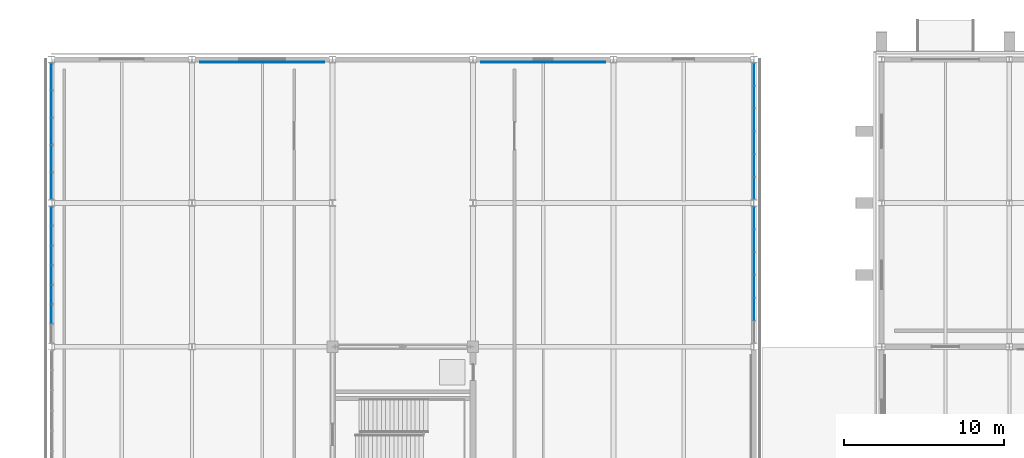
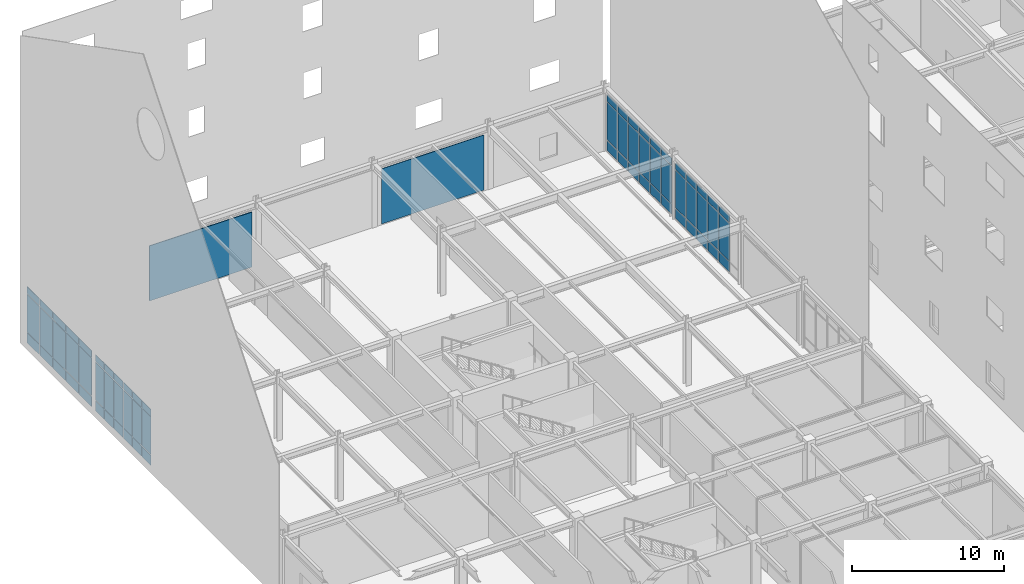
# One storey, part 64 of 119: 68 plates, 4 elements without a shape of their own.
"""IFC4 building model written with IfcOpenShell, lengths in metres."""

import ifcopenshell
import ifcopenshell.guid

model = None  # the IFC model being written
_history = None  # IfcOwnerHistory: only IFC2X3 demands one
_inside = {}  # id of a spatial element -> (the spatial element, [elements in it])
_under = {}  # id of a project, library or spatial element -> (it, [spatial elements below it])
_declared = {}  # id of a project -> (the project, [libraries it declares])
_typed = {}  # id of a type object -> (the type object, [elements of that type])
_made_of = {}  # id of a material, layer set ... -> (it, [elements and type objects made of it])


def new_model(schema):
    """Start an empty IFC model of exactly this schema.

    Asked for "IFC4X3", IfcOpenShell would pick the latest addendum, in which some entities
    have other attributes; the version numbers below select the first issue.
    IFC2X3 requires an IfcOwnerHistory on every rooted entity: one is made here for all.
    """
    global model, _history
    if schema == "IFC4X3":
        model = ifcopenshell.file(schema_version=(4, 3, 0, 0))
    else:
        model = ifcopenshell.file(schema=schema)
    _inside.clear()
    _under.clear()
    _declared.clear()
    _typed.clear()
    _made_of.clear()
    _history = None
    if model.schema == "IFC2X3":
        org = make("IfcOrganization", Name="unknown")
        user = make(
            "IfcPersonAndOrganization",
            ThePerson=make("IfcPerson", FamilyName="unknown"),
            TheOrganization=org,
        )
        app = make(
            "IfcApplication",
            ApplicationDeveloper=org,
            Version="unknown",
            ApplicationFullName="unknown",
            ApplicationIdentifier="unknown",
        )
        _history = make(
            "IfcOwnerHistory",
            OwningUser=user,
            OwningApplication=app,
            ChangeAction="ADDED",
            CreationDate=0,
        )
    return model


def make(cls, **values):
    """One entity of the class cls with the attributes given. An attribute that is None is left unset."""
    return model.create_entity(
        cls, **{name: value for name, value in values.items() if value is not None}
    )


def rooted(cls, **values):
    """An entity with a GlobalId (a new one), such as an element, a storey or a relation."""
    return make(cls, GlobalId=ifcopenshell.guid.new(), OwnerHistory=_history, **values)


def si_unit(unit_type, name, prefix=None):
    """IfcSIUnit, for example si_unit("LENGTHUNIT", "METRE", prefix="MILLI")."""
    return make("IfcSIUnit", UnitType=unit_type, Prefix=prefix, Name=name)


def assignment(units):
    """IfcUnitAssignment: the units of a project."""
    return None if units is None else make("IfcUnitAssignment", Units=units)


def point(xyz):
    """IfcCartesianPoint."""
    return None if xyz is None else make("IfcCartesianPoint", Coordinates=xyz)


def direction(xyz):
    """IfcDirection."""
    return None if xyz is None else make("IfcDirection", DirectionRatios=xyz)


def frame(location, z_axis=None, x_axis=None):
    """IfcAxis2Placement3D, a coordinate frame: its origin and axes. An axis left out is left unset."""
    return make(
        "IfcAxis2Placement3D",
        Location=point(location),
        Axis=direction(z_axis),
        RefDirection=direction(x_axis),
    )


def frame_2d(location, x_axis=None):
    """IfcAxis2Placement2D, a coordinate frame in the plane: its origin and x axis."""
    return make(
        "IfcAxis2Placement2D", Location=point(location), RefDirection=direction(x_axis)
    )


def origin():
    """The frame at (0, 0, 0) with its axes left unset."""
    return frame((0.0, 0.0, 0.0))


def origin_2d():
    """The frame at (0, 0) in the plane with its x axis left unset."""
    return frame_2d((0.0, 0.0))


def place(relative_to, where):
    """IfcLocalPlacement: puts the frame where relative to a parent placement (None: the world)."""
    return make(
        "IfcLocalPlacement", PlacementRelTo=relative_to, RelativePlacement=where
    )


def context(
    kind, dimensions, precision=None, world=None, true_north=None, identifier=None
):
    """IfcGeometricRepresentationContext, for example the 3D "Model" context."""
    return make(
        "IfcGeometricRepresentationContext",
        ContextIdentifier=identifier,
        ContextType=kind,
        CoordinateSpaceDimension=dimensions,
        Precision=precision,
        WorldCoordinateSystem=world,
        TrueNorth=true_north,
    )


def subcontext(parent, identifier, kind, view, scale=None):
    """IfcGeometricRepresentationSubContext, for example "Body" below "Model"."""
    return make(
        "IfcGeometricRepresentationSubContext",
        ContextIdentifier=identifier,
        ContextType=kind,
        ParentContext=parent,
        TargetScale=scale,
        TargetView=view,
    )


def project(units=None, contexts=None):
    """IfcProject with its units and contexts."""
    return rooted(
        "IfcProject",
        Name="project",
        RepresentationContexts=contexts,
        UnitsInContext=assignment(units),
    )


def spatial(cls, under=None, at=None, **own):
    """A site, building, storey or space (cls), placed at a placement, below another one or the project."""
    s = rooted(cls, ObjectPlacement=at, **own)
    if under is not None:
        _under.setdefault(under.id(), (under, []))[1].append(s)
    return s


def profile(cls, at=None, kind="AREA", **sizes):
    """A parametric profile (cls). Its sizes go by their IFC names, for example OverallWidth=200.0."""
    return make(cls, ProfileType=kind, Position=at, **sizes)


def rectangle(**sizes):
    """IfcRectangleProfileDef."""
    return profile("IfcRectangleProfileDef", **sizes)


def extrude(swept, where, along, depth):
    """IfcExtrudedAreaSolid: the profile swept, set in the frame where, extruded along a direction by depth."""
    return make(
        "IfcExtrudedAreaSolid",
        SweptArea=swept,
        Position=where,
        ExtrudedDirection=direction(along),
        Depth=depth,
    )


def shape(context_of_items, identifier, shape_type, items):
    """IfcShapeRepresentation: the items that make up one representation, for example the "Body"."""
    return make(
        "IfcShapeRepresentation",
        ContextOfItems=context_of_items,
        RepresentationIdentifier=identifier,
        RepresentationType=shape_type,
        Items=items,
    )


def material(Name=None, Category=None):
    """IfcMaterial."""
    return make("IfcMaterial", Name=Name, Category=Category)


def layer(
    of_material, thickness, ventilated=None, Name=None, Category=None, Priority=None
):
    """IfcMaterialLayer: one layer of a wall or slab, of a material (None: an air gap)."""
    return make(
        "IfcMaterialLayer",
        Material=of_material,
        LayerThickness=thickness,
        IsVentilated=ventilated,
        Name=Name,
        Category=Category,
        Priority=Priority,
    )


def layer_set(layers, Name=None):
    """IfcMaterialLayerSet."""
    return make("IfcMaterialLayerSet", MaterialLayers=layers, LayerSetName=Name)


def made_of(thing, what):
    """Note that an element or type object is made of a material, layer set ...; save() writes the relation."""
    if what is not None:
        _made_of.setdefault(what.id(), (what, []))[1].append(thing)
    return thing


def type_object(cls, material=None, **own):
    """A type object (cls), such as IfcWallType, which elements share."""
    return made_of(rooted(cls, **own), material)


def element(
    cls,
    number,
    at=None,
    inside=None,
    cuts=None,
    type_object=None,
    material=None,
    context=None,
    identifier="Body",
    shape_type=None,
    held_by="IfcProductDefinitionShape",
    body=None,
    shapes=None,
    **own,
):
    """One element of the class cls, such as IfcWall. Its Tag is "e" and its number.

    at: its placement. inside: the storey or other place that contains it. cuts: it is an
    opening in that element (IfcRelVoidsElement). A single representation is given by context,
    identifier, shape_type and body (its items); several are given by shapes. held_by: the class
    of the entity that holds the representations. save() writes the other relations.
    """
    e = rooted(cls, Tag="e%d" % number, ObjectPlacement=at, **own)
    if body is not None:
        shapes = [shape(context, identifier, shape_type, body)]
    if shapes is not None:
        e.Representation = make(held_by, Representations=shapes)
    if inside is not None:
        _inside.setdefault(inside.id(), (inside, []))[1].append(e)
    if cuts is not None:
        rooted(
            "IfcRelVoidsElement", RelatingBuildingElement=cuts, RelatedOpeningElement=e
        )
    if type_object is not None:
        _typed.setdefault(type_object.id(), (type_object, []))[1].append(e)
    return made_of(e, material)


def aggregate(whole, parts):
    """IfcRelAggregates: a whole, such as a stair, and the parts it consists of."""
    return rooted("IfcRelAggregates", RelatingObject=whole, RelatedObjects=parts)


def save(model, path):
    """Write the relations noted so far, then the file.

    IfcRelAggregates (storeys below a building ...), IfcRelContainedInSpatialStructure (elements
    in a storey), IfcRelDefinesByType, IfcRelAssociatesMaterial and IfcRelDeclares: one each for
    every whole, place, type object, material and project.
    """
    for whole, parts in _under.values():
        aggregate(whole, parts)
    for where, things in _inside.values():
        rooted(
            "IfcRelContainedInSpatialStructure",
            RelatedElements=things,
            RelatingStructure=where,
        )
    for kind, things in _typed.values():
        rooted("IfcRelDefinesByType", RelatedObjects=things, RelatingType=kind)
    for what, things in _made_of.values():
        rooted("IfcRelAssociatesMaterial", RelatedObjects=things, RelatingMaterial=what)
    for by, libraries in _declared.values():
        rooted("IfcRelDeclares", RelatingContext=by, RelatedDefinitions=libraries)
    model.write(path)


model = new_model("IFC4")

# Units and contexts
model_context = context("Model", 3, precision=1e-05, world=origin(), true_north=direction((0.0, 1.0)))
body_context = subcontext(model_context, "Body", "Model", "MODEL_VIEW")
ifc_project = project(units=[si_unit("LENGTHUNIT", "METRE"), si_unit("AREAUNIT", "SQUARE_METRE"), si_unit("VOLUMEUNIT", "CUBIC_METRE"), si_unit("PLANEANGLEUNIT", "RADIAN"), si_unit("MASSUNIT", "GRAM", prefix="KILO")], contexts=[model_context])

# Site, building, storey
site_placement = place(None, origin())
site = spatial("IfcSite", under=ifc_project, at=site_placement, CompositionType="ELEMENT")
building_placement = place(site_placement, origin())
building = spatial("IfcBuilding", under=site, at=building_placement, Name="Zhaolan Boulevard Law Courts", CompositionType="ELEMENT")
storey_placement = place(building_placement, origin())
storey = spatial("IfcBuildingStorey", under=building, at=storey_placement, Name="L00", CompositionType="ELEMENT", Elevation=0.0)

# Curtain wall, plates
ifc_material_1 = material(Name="Thermally broken aluminium and low-E glazing", Category="aluminium")
curtain_wall_type_1 = type_object("IfcCurtainWallType", Name="CURTAIN WALL M6", PredefinedType="USERDEFINED", material=ifc_material_1)
curtain_wall_1_placement = place(storey_placement, origin())
curtain_wall_1 = element("IfcCurtainWall", 1, at=curtain_wall_1_placement, inside=storey, type_object=curtain_wall_type_1, Name="Curtain Wall CW-L00-102", ObjectType="CURTAIN WALL", PredefinedType="USERDEFINED")
ifc_material_2 = material(Name="Acoustic laminated low-E glazing", Category="glass")
ifc_layer_1 = layer(ifc_material_2, 0.031982421875)
ifc_layer_set_1 = layer_set([ifc_layer_1])
plate_type_1 = type_object("IfcPlateType", Name="CWPANEL LOW E32", PredefinedType="CURTAIN_PANEL", material=ifc_layer_set_1)
plate_1_placement = place(storey_placement, frame((0.0, 102.167724609375, 0.06494140625), z_axis=(0.0, 0.0, 1.0), x_axis=(0.0, -1.0, 0.0)))
plate_1 = element("IfcPlate", 2, at=plate_1_placement, type_object=plate_type_1, Name="CW-L00-102 panel 1.1", PredefinedType="CURTAIN_PANEL", context=body_context, shape_type="SweptSolid", body=[
    extrude(rectangle(XDim=1.130615234375, YDim=0.031982421875, at=origin_2d()), origin(), (0.0, 0.0, 1.0), 0.802490234375),
])
plate_2_placement = place(storey_placement, frame((0.0, 102.167724609375, 0.9326171875), z_axis=(0.0, 0.0, 1.0), x_axis=(0.0, -1.0, 0.0)))
plate_2 = element("IfcPlate", 3, at=plate_2_placement, type_object=plate_type_1, Name="CW-L00-102 panel 1.2", PredefinedType="CURTAIN_PANEL", context=body_context, shape_type="SweptSolid", body=[
    extrude(rectangle(XDim=1.130615234375, YDim=0.031982421875, at=origin_2d()), origin(), (0.0, 0.0, 1.0), 3.006103515625),
])
plate_3_placement = place(storey_placement, frame((0.0, 102.167724609375, 4.00341796875), z_axis=(0.0, 0.0, 1.0), x_axis=(0.0, -1.0, 0.0)))
plate_3 = element("IfcPlate", 4, at=plate_3_placement, type_object=plate_type_1, Name="CW-L00-102 panel 1.3", PredefinedType="CURTAIN_PANEL", context=body_context, shape_type="SweptSolid", body=[
    extrude(rectangle(XDim=1.130615234375, YDim=0.031982421875, at=origin_2d()), origin(), (0.0, 0.0, 1.0), 0.552490234375),
])
plate_4_placement = place(storey_placement, frame((0.0, 100.9560546875, 0.06494140625), z_axis=(0.0, 0.0, 1.0), x_axis=(0.0, -1.0, 0.0)))
plate_4 = element("IfcPlate", 5, at=plate_4_placement, type_object=plate_type_1, Name="CW-L00-102 panel 2.1", PredefinedType="CURTAIN_PANEL", context=body_context, shape_type="SweptSolid", body=[
    extrude(rectangle(XDim=1.1630859375, YDim=0.031982421875, at=origin_2d()), origin(), (0.0, 0.0, 1.0), 0.802490234375),
])
plate_5_placement = place(storey_placement, frame((0.0, 100.9560546875, 0.9326171875), z_axis=(0.0, 0.0, 1.0), x_axis=(0.0, -1.0, 0.0)))
plate_5 = element("IfcPlate", 6, at=plate_5_placement, type_object=plate_type_1, Name="CW-L00-102 panel 2.2", PredefinedType="CURTAIN_PANEL", context=body_context, shape_type="SweptSolid", body=[
    extrude(rectangle(XDim=1.1630859375, YDim=0.031982421875, at=origin_2d()), origin(), (0.0, 0.0, 1.0), 3.006103515625),
])
plate_6_placement = place(storey_placement, frame((0.0, 100.9560546875, 4.00341796875), z_axis=(0.0, 0.0, 1.0), x_axis=(0.0, -1.0, 0.0)))
plate_6 = element("IfcPlate", 7, at=plate_6_placement, type_object=plate_type_1, Name="CW-L00-102 panel 2.3", PredefinedType="CURTAIN_PANEL", context=body_context, shape_type="SweptSolid", body=[
    extrude(rectangle(XDim=1.1630859375, YDim=0.031982421875, at=origin_2d()), origin(), (0.0, 0.0, 1.0), 0.552490234375),
])
plate_7_placement = place(storey_placement, frame((0.0, 99.72802734375, 0.06494140625), z_axis=(0.0, 0.0, 1.0), x_axis=(0.0, -1.0, 0.0)))
plate_7 = element("IfcPlate", 8, at=plate_7_placement, type_object=plate_type_1, Name="CW-L00-102 panel 3.1", PredefinedType="CURTAIN_PANEL", context=body_context, shape_type="SweptSolid", body=[
    extrude(rectangle(XDim=1.1630859375, YDim=0.031982421875, at=origin_2d()), origin(), (0.0, 0.0, 1.0), 0.802490234375),
])
plate_8_placement = place(storey_placement, frame((0.0, 99.72802734375, 0.9326171875), z_axis=(0.0, 0.0, 1.0), x_axis=(0.0, -1.0, 0.0)))
plate_8 = element("IfcPlate", 9, at=plate_8_placement, type_object=plate_type_1, Name="CW-L00-102 panel 3.2", PredefinedType="CURTAIN_PANEL", context=body_context, shape_type="SweptSolid", body=[
    extrude(rectangle(XDim=1.1630859375, YDim=0.031982421875, at=origin_2d()), origin(), (0.0, 0.0, 1.0), 3.006103515625),
])
plate_9_placement = place(storey_placement, frame((0.0, 99.72802734375, 4.00341796875), z_axis=(0.0, 0.0, 1.0), x_axis=(0.0, -1.0, 0.0)))
plate_9 = element("IfcPlate", 10, at=plate_9_placement, type_object=plate_type_1, Name="CW-L00-102 panel 3.3", PredefinedType="CURTAIN_PANEL", context=body_context, shape_type="SweptSolid", body=[
    extrude(rectangle(XDim=1.1630859375, YDim=0.031982421875, at=origin_2d()), origin(), (0.0, 0.0, 1.0), 0.552490234375),
])
plate_10_placement = place(storey_placement, frame((0.0, 98.5, 0.06494140625), z_axis=(0.0, 0.0, 1.0), x_axis=(0.0, -1.0, 0.0)))
plate_10 = element("IfcPlate", 11, at=plate_10_placement, type_object=plate_type_1, Name="CW-L00-102 panel 4.1", PredefinedType="CURTAIN_PANEL", context=body_context, shape_type="SweptSolid", body=[
    extrude(rectangle(XDim=1.1630859375, YDim=0.031982421875, at=origin_2d()), origin(), (0.0, 0.0, 1.0), 0.802490234375),
])
plate_11_placement = place(storey_placement, frame((0.0, 98.5, 0.9326171875), z_axis=(0.0, 0.0, 1.0), x_axis=(0.0, -1.0, 0.0)))
plate_11 = element("IfcPlate", 12, at=plate_11_placement, type_object=plate_type_1, Name="CW-L00-102 panel 4.2", PredefinedType="CURTAIN_PANEL", context=body_context, shape_type="SweptSolid", body=[
    extrude(rectangle(XDim=1.1630859375, YDim=0.031982421875, at=origin_2d()), origin(), (0.0, 0.0, 1.0), 3.006103515625),
])
plate_12_placement = place(storey_placement, frame((0.0, 98.5, 4.00341796875), z_axis=(0.0, 0.0, 1.0), x_axis=(0.0, -1.0, 0.0)))
plate_12 = element("IfcPlate", 13, at=plate_12_placement, type_object=plate_type_1, Name="CW-L00-102 panel 4.3", PredefinedType="CURTAIN_PANEL", context=body_context, shape_type="SweptSolid", body=[
    extrude(rectangle(XDim=1.1630859375, YDim=0.031982421875, at=origin_2d()), origin(), (0.0, 0.0, 1.0), 0.552490234375),
])
plate_13_placement = place(storey_placement, frame((0.0, 97.27197265625, 0.06494140625), z_axis=(0.0, 0.0, 1.0), x_axis=(0.0, -1.0, 0.0)))
plate_13 = element("IfcPlate", 14, at=plate_13_placement, type_object=plate_type_1, Name="CW-L00-102 panel 5.1", PredefinedType="CURTAIN_PANEL", context=body_context, shape_type="SweptSolid", body=[
    extrude(rectangle(XDim=1.1630859375, YDim=0.031982421875, at=origin_2d()), origin(), (0.0, 0.0, 1.0), 0.802490234375),
])
plate_14_placement = place(storey_placement, frame((0.0, 97.27197265625, 0.9326171875), z_axis=(0.0, 0.0, 1.0), x_axis=(0.0, -1.0, 0.0)))
plate_14 = element("IfcPlate", 15, at=plate_14_placement, type_object=plate_type_1, Name="CW-L00-102 panel 5.2", PredefinedType="CURTAIN_PANEL", context=body_context, shape_type="SweptSolid", body=[
    extrude(rectangle(XDim=1.1630859375, YDim=0.031982421875, at=origin_2d()), origin(), (0.0, 0.0, 1.0), 3.006103515625),
])
plate_15_placement = place(storey_placement, frame((0.0, 97.27197265625, 4.00341796875), z_axis=(0.0, 0.0, 1.0), x_axis=(0.0, -1.0, 0.0)))
plate_15 = element("IfcPlate", 16, at=plate_15_placement, type_object=plate_type_1, Name="CW-L00-102 panel 5.3", PredefinedType="CURTAIN_PANEL", context=body_context, shape_type="SweptSolid", body=[
    extrude(rectangle(XDim=1.1630859375, YDim=0.031982421875, at=origin_2d()), origin(), (0.0, 0.0, 1.0), 0.552490234375),
])
plate_16_placement = place(storey_placement, frame((0.0, 96.0439453125, 0.06494140625), z_axis=(0.0, 0.0, 1.0), x_axis=(0.0, -1.0, 0.0)))
plate_16 = element("IfcPlate", 17, at=plate_16_placement, type_object=plate_type_1, Name="CW-L00-102 panel 6.1", PredefinedType="CURTAIN_PANEL", context=body_context, shape_type="SweptSolid", body=[
    extrude(rectangle(XDim=1.1630859375, YDim=0.031982421875, at=origin_2d()), origin(), (0.0, 0.0, 1.0), 0.802490234375),
])
plate_17_placement = place(storey_placement, frame((0.0, 96.0439453125, 0.9326171875), z_axis=(0.0, 0.0, 1.0), x_axis=(0.0, -1.0, 0.0)))
plate_17 = element("IfcPlate", 18, at=plate_17_placement, type_object=plate_type_1, Name="CW-L00-102 panel 6.2", PredefinedType="CURTAIN_PANEL", context=body_context, shape_type="SweptSolid", body=[
    extrude(rectangle(XDim=1.1630859375, YDim=0.031982421875, at=origin_2d()), origin(), (0.0, 0.0, 1.0), 3.006103515625),
])
plate_18_placement = place(storey_placement, frame((0.0, 96.0439453125, 4.00341796875), z_axis=(0.0, 0.0, 1.0), x_axis=(0.0, -1.0, 0.0)))
plate_18 = element("IfcPlate", 19, at=plate_18_placement, type_object=plate_type_1, Name="CW-L00-102 panel 6.3", PredefinedType="CURTAIN_PANEL", context=body_context, shape_type="SweptSolid", body=[
    extrude(rectangle(XDim=1.1630859375, YDim=0.031982421875, at=origin_2d()), origin(), (0.0, 0.0, 1.0), 0.552490234375),
])
aggregate(curtain_wall_1, [plate_1, plate_2, plate_3, plate_4, plate_5, plate_6, plate_7, plate_8, plate_9, plate_10, plate_11, plate_12, plate_13, plate_14, plate_15, plate_16, plate_17, plate_18])

ifc_material_3 = material(Name="Thermally broken aluminium and low-E glazing", Category="aluminium")
curtain_wall_type_2 = type_object("IfcCurtainWallType", Name="CURTAIN WALL M7", PredefinedType="USERDEFINED", material=ifc_material_3)
curtain_wall_2_placement = place(storey_placement, origin())
curtain_wall_2 = element("IfcCurtainWall", 20, at=curtain_wall_2_placement, inside=storey, type_object=curtain_wall_type_2, Name="Curtain Wall CW-L00-103", ObjectType="CURTAIN WALL", PredefinedType="USERDEFINED")
plate_19_placement = place(storey_placement, frame((0.0, 110.922119140625, 0.06494140625), z_axis=(0.0, 0.0, 1.0), x_axis=(0.0, -1.0, 0.0)))
plate_19 = element("IfcPlate", 21, at=plate_19_placement, type_object=plate_type_1, Name="CW-L00-103 panel 1.1", PredefinedType="CURTAIN_PANEL", context=body_context, shape_type="SweptSolid", body=[
    extrude(rectangle(XDim=1.62158203125, YDim=0.031982421875, at=origin_2d()), origin(), (0.0, 0.0, 1.0), 0.802490234375),
])
plate_20_placement = place(storey_placement, frame((0.0, 110.922119140625, 0.9326171875), z_axis=(0.0, 0.0, 1.0), x_axis=(0.0, -1.0, 0.0)))
plate_20 = element("IfcPlate", 22, at=plate_20_placement, type_object=plate_type_1, Name="CW-L00-103 panel 1.2", PredefinedType="CURTAIN_PANEL", context=body_context, shape_type="SweptSolid", body=[
    extrude(rectangle(XDim=1.62158203125, YDim=0.031982421875, at=origin_2d()), origin(), (0.0, 0.0, 1.0), 3.006103515625),
])
plate_21_placement = place(storey_placement, frame((0.0, 110.922119140625, 4.00341796875), z_axis=(0.0, 0.0, 1.0), x_axis=(0.0, -1.0, 0.0)))
plate_21 = element("IfcPlate", 23, at=plate_21_placement, type_object=plate_type_1, Name="CW-L00-103 panel 1.3", PredefinedType="CURTAIN_PANEL", context=body_context, shape_type="SweptSolid", body=[
    extrude(rectangle(XDim=1.62158203125, YDim=0.031982421875, at=origin_2d()), origin(), (0.0, 0.0, 1.0), 0.552490234375),
])
plate_22_placement = place(storey_placement, frame((0.0, 109.21923828125, 0.06494140625), z_axis=(0.0, 0.0, 1.0), x_axis=(0.0, -1.0, 0.0)))
plate_22 = element("IfcPlate", 24, at=plate_22_placement, type_object=plate_type_1, Name="CW-L00-103 panel 2.1", PredefinedType="CURTAIN_PANEL", context=body_context, shape_type="SweptSolid", body=[
    extrude(rectangle(XDim=1.654296875, YDim=0.031982421875, at=origin_2d()), origin(), (0.0, 0.0, 1.0), 0.802490234375),
])
plate_23_placement = place(storey_placement, frame((0.0, 109.21923828125, 0.9326171875), z_axis=(0.0, 0.0, 1.0), x_axis=(0.0, -1.0, 0.0)))
plate_23 = element("IfcPlate", 25, at=plate_23_placement, type_object=plate_type_1, Name="CW-L00-103 panel 2.2", PredefinedType="CURTAIN_PANEL", context=body_context, shape_type="SweptSolid", body=[
    extrude(rectangle(XDim=1.654296875, YDim=0.031982421875, at=origin_2d()), origin(), (0.0, 0.0, 1.0), 3.006103515625),
])
plate_24_placement = place(storey_placement, frame((0.0, 109.21923828125, 4.00341796875), z_axis=(0.0, 0.0, 1.0), x_axis=(0.0, -1.0, 0.0)))
plate_24 = element("IfcPlate", 26, at=plate_24_placement, type_object=plate_type_1, Name="CW-L00-103 panel 2.3", PredefinedType="CURTAIN_PANEL", context=body_context, shape_type="SweptSolid", body=[
    extrude(rectangle(XDim=1.654296875, YDim=0.031982421875, at=origin_2d()), origin(), (0.0, 0.0, 1.0), 0.552490234375),
])
plate_25_placement = place(storey_placement, frame((0.0, 107.5, 0.06494140625), z_axis=(0.0, 0.0, 1.0), x_axis=(0.0, -1.0, 0.0)))
plate_25 = element("IfcPlate", 27, at=plate_25_placement, type_object=plate_type_1, Name="CW-L00-103 panel 3.1", PredefinedType="CURTAIN_PANEL", context=body_context, shape_type="SweptSolid", body=[
    extrude(rectangle(XDim=1.654296875, YDim=0.031982421875, at=origin_2d()), origin(), (0.0, 0.0, 1.0), 0.802490234375),
])
plate_26_placement = place(storey_placement, frame((0.0, 107.5, 0.9326171875), z_axis=(0.0, 0.0, 1.0), x_axis=(0.0, -1.0, 0.0)))
plate_26 = element("IfcPlate", 28, at=plate_26_placement, type_object=plate_type_1, Name="CW-L00-103 panel 3.2", PredefinedType="CURTAIN_PANEL", context=body_context, shape_type="SweptSolid", body=[
    extrude(rectangle(XDim=1.654296875, YDim=0.031982421875, at=origin_2d()), origin(), (0.0, 0.0, 1.0), 3.006103515625),
])
plate_27_placement = place(storey_placement, frame((0.0, 107.5, 4.00341796875), z_axis=(0.0, 0.0, 1.0), x_axis=(0.0, -1.0, 0.0)))
plate_27 = element("IfcPlate", 29, at=plate_27_placement, type_object=plate_type_1, Name="CW-L00-103 panel 3.3", PredefinedType="CURTAIN_PANEL", context=body_context, shape_type="SweptSolid", body=[
    extrude(rectangle(XDim=1.654296875, YDim=0.031982421875, at=origin_2d()), origin(), (0.0, 0.0, 1.0), 0.552490234375),
])
plate_28_placement = place(storey_placement, frame((0.0, 105.78076171875, 0.06494140625), z_axis=(0.0, 0.0, 1.0), x_axis=(0.0, -1.0, 0.0)))
plate_28 = element("IfcPlate", 30, at=plate_28_placement, type_object=plate_type_1, Name="CW-L00-103 panel 4.1", PredefinedType="CURTAIN_PANEL", context=body_context, shape_type="SweptSolid", body=[
    extrude(rectangle(XDim=1.654296875, YDim=0.031982421875, at=origin_2d()), origin(), (0.0, 0.0, 1.0), 0.802490234375),
])
plate_29_placement = place(storey_placement, frame((0.0, 105.78076171875, 0.9326171875), z_axis=(0.0, 0.0, 1.0), x_axis=(0.0, -1.0, 0.0)))
plate_29 = element("IfcPlate", 31, at=plate_29_placement, type_object=plate_type_1, Name="CW-L00-103 panel 4.2", PredefinedType="CURTAIN_PANEL", context=body_context, shape_type="SweptSolid", body=[
    extrude(rectangle(XDim=1.654296875, YDim=0.031982421875, at=origin_2d()), origin(), (0.0, 0.0, 1.0), 3.006103515625),
])
plate_30_placement = place(storey_placement, frame((0.0, 105.78076171875, 4.00341796875), z_axis=(0.0, 0.0, 1.0), x_axis=(0.0, -1.0, 0.0)))
plate_30 = element("IfcPlate", 32, at=plate_30_placement, type_object=plate_type_1, Name="CW-L00-103 panel 4.3", PredefinedType="CURTAIN_PANEL", context=body_context, shape_type="SweptSolid", body=[
    extrude(rectangle(XDim=1.654296875, YDim=0.031982421875, at=origin_2d()), origin(), (0.0, 0.0, 1.0), 0.552490234375),
])
plate_31_placement = place(storey_placement, frame((0.0, 104.077880859375, 0.06494140625), z_axis=(0.0, 0.0, 1.0), x_axis=(0.0, -1.0, 0.0)))
plate_31 = element("IfcPlate", 33, at=plate_31_placement, type_object=plate_type_1, Name="CW-L00-103 panel 5.1", PredefinedType="CURTAIN_PANEL", context=body_context, shape_type="SweptSolid", body=[
    extrude(rectangle(XDim=1.62158203125, YDim=0.031982421875, at=origin_2d()), origin(), (0.0, 0.0, 1.0), 0.802490234375),
])
plate_32_placement = place(storey_placement, frame((0.0, 104.077880859375, 0.9326171875), z_axis=(0.0, 0.0, 1.0), x_axis=(0.0, -1.0, 0.0)))
plate_32 = element("IfcPlate", 34, at=plate_32_placement, type_object=plate_type_1, Name="CW-L00-103 panel 5.2", PredefinedType="CURTAIN_PANEL", context=body_context, shape_type="SweptSolid", body=[
    extrude(rectangle(XDim=1.62158203125, YDim=0.031982421875, at=origin_2d()), origin(), (0.0, 0.0, 1.0), 3.006103515625),
])
plate_33_placement = place(storey_placement, frame((0.0, 104.077880859375, 4.00341796875), z_axis=(0.0, 0.0, 1.0), x_axis=(0.0, -1.0, 0.0)))
plate_33 = element("IfcPlate", 35, at=plate_33_placement, type_object=plate_type_1, Name="CW-L00-103 panel 5.3", PredefinedType="CURTAIN_PANEL", context=body_context, shape_type="SweptSolid", body=[
    extrude(rectangle(XDim=1.62158203125, YDim=0.031982421875, at=origin_2d()), origin(), (0.0, 0.0, 1.0), 0.552490234375),
])
aggregate(curtain_wall_2, [plate_19, plate_20, plate_21, plate_22, plate_23, plate_24, plate_25, plate_26, plate_27, plate_28, plate_29, plate_30, plate_31, plate_32, plate_33])

ifc_material_4 = material(Name="Thermally broken aluminium and low-E glazing", Category="aluminium")
curtain_wall_type_3 = type_object("IfcCurtainWallType", Name="CURTAIN WALL M9", PredefinedType="USERDEFINED", material=ifc_material_4)
curtain_wall_3_placement = place(storey_placement, origin())
curtain_wall_3 = element("IfcCurtainWall", 36, at=curtain_wall_3_placement, inside=storey, type_object=curtain_wall_type_3, Name="Curtain Wall CW-L00-105", ObjectType="CURTAIN WALL", PredefinedType="USERDEFINED")
plate_34_placement = place(storey_placement, frame((44.0, 96.35107421875, 0.06494140625), z_axis=(0.0, 0.0, 1.0), x_axis=(0.0, 1.0, 0.0)))
plate_34 = element("IfcPlate", 37, at=plate_34_placement, type_object=plate_type_1, Name="CW-L00-105 panel 2.1", PredefinedType="CURTAIN_PANEL", context=body_context, shape_type="SweptSolid", body=[
    extrude(rectangle(XDim=1.36767578125, YDim=0.031982421875, at=origin_2d()), origin(), (0.0, 0.0, 1.0), 0.802490234375),
])
plate_35_placement = place(storey_placement, frame((44.0, 96.35107421875, 0.9326171875), z_axis=(0.0, 0.0, 1.0), x_axis=(0.0, 1.0, 0.0)))
plate_35 = element("IfcPlate", 38, at=plate_35_placement, type_object=plate_type_1, Name="CW-L00-105 panel 2.2", PredefinedType="CURTAIN_PANEL", context=body_context, shape_type="SweptSolid", body=[
    extrude(rectangle(XDim=1.36767578125, YDim=0.031982421875, at=origin_2d()), origin(), (0.0, 0.0, 1.0), 3.006103515625),
])
plate_36_placement = place(storey_placement, frame((44.0, 96.35107421875, 4.00341796875), z_axis=(0.0, 0.0, 1.0), x_axis=(0.0, 1.0, 0.0)))
plate_36 = element("IfcPlate", 39, at=plate_36_placement, type_object=plate_type_1, Name="CW-L00-105 panel 2.3", PredefinedType="CURTAIN_PANEL", context=body_context, shape_type="SweptSolid", body=[
    extrude(rectangle(XDim=1.36767578125, YDim=0.031982421875, at=origin_2d()), origin(), (0.0, 0.0, 1.0), 0.552490234375),
])
plate_37_placement = place(storey_placement, frame((44.0, 97.78369140625, 0.06494140625), z_axis=(0.0, 0.0, 1.0), x_axis=(0.0, 1.0, 0.0)))
plate_37 = element("IfcPlate", 40, at=plate_37_placement, type_object=plate_type_1, Name="CW-L00-105 panel 3.1", PredefinedType="CURTAIN_PANEL", context=body_context, shape_type="SweptSolid", body=[
    extrude(rectangle(XDim=1.36767578125, YDim=0.031982421875, at=origin_2d()), origin(), (0.0, 0.0, 1.0), 0.802490234375),
])
plate_38_placement = place(storey_placement, frame((44.0, 97.78369140625, 0.9326171875), z_axis=(0.0, 0.0, 1.0), x_axis=(0.0, 1.0, 0.0)))
plate_38 = element("IfcPlate", 41, at=plate_38_placement, type_object=plate_type_1, Name="CW-L00-105 panel 3.2", PredefinedType="CURTAIN_PANEL", context=body_context, shape_type="SweptSolid", body=[
    extrude(rectangle(XDim=1.36767578125, YDim=0.031982421875, at=origin_2d()), origin(), (0.0, 0.0, 1.0), 3.006103515625),
])
plate_39_placement = place(storey_placement, frame((44.0, 97.78369140625, 4.00341796875), z_axis=(0.0, 0.0, 1.0), x_axis=(0.0, 1.0, 0.0)))
plate_39 = element("IfcPlate", 42, at=plate_39_placement, type_object=plate_type_1, Name="CW-L00-105 panel 3.3", PredefinedType="CURTAIN_PANEL", context=body_context, shape_type="SweptSolid", body=[
    extrude(rectangle(XDim=1.36767578125, YDim=0.031982421875, at=origin_2d()), origin(), (0.0, 0.0, 1.0), 0.552490234375),
])
plate_40_placement = place(storey_placement, frame((44.0, 99.21630859375, 0.06494140625), z_axis=(0.0, 0.0, 1.0), x_axis=(0.0, 1.0, 0.0)))
plate_40 = element("IfcPlate", 43, at=plate_40_placement, type_object=plate_type_1, Name="CW-L00-105 panel 4.1", PredefinedType="CURTAIN_PANEL", context=body_context, shape_type="SweptSolid", body=[
    extrude(rectangle(XDim=1.36767578125, YDim=0.031982421875, at=origin_2d()), origin(), (0.0, 0.0, 1.0), 0.802490234375),
])
plate_41_placement = place(storey_placement, frame((44.0, 99.21630859375, 0.9326171875), z_axis=(0.0, 0.0, 1.0), x_axis=(0.0, 1.0, 0.0)))
plate_41 = element("IfcPlate", 44, at=plate_41_placement, type_object=plate_type_1, Name="CW-L00-105 panel 4.2", PredefinedType="CURTAIN_PANEL", context=body_context, shape_type="SweptSolid", body=[
    extrude(rectangle(XDim=1.36767578125, YDim=0.031982421875, at=origin_2d()), origin(), (0.0, 0.0, 1.0), 3.006103515625),
])
plate_42_placement = place(storey_placement, frame((44.0, 99.21630859375, 4.00341796875), z_axis=(0.0, 0.0, 1.0), x_axis=(0.0, 1.0, 0.0)))
plate_42 = element("IfcPlate", 45, at=plate_42_placement, type_object=plate_type_1, Name="CW-L00-105 panel 4.3", PredefinedType="CURTAIN_PANEL", context=body_context, shape_type="SweptSolid", body=[
    extrude(rectangle(XDim=1.36767578125, YDim=0.031982421875, at=origin_2d()), origin(), (0.0, 0.0, 1.0), 0.552490234375),
])
plate_43_placement = place(storey_placement, frame((44.0, 100.64892578125, 0.06494140625), z_axis=(0.0, 0.0, 1.0), x_axis=(0.0, 1.0, 0.0)))
plate_43 = element("IfcPlate", 46, at=plate_43_placement, type_object=plate_type_1, Name="CW-L00-105 panel 5.1", PredefinedType="CURTAIN_PANEL", context=body_context, shape_type="SweptSolid", body=[
    extrude(rectangle(XDim=1.36767578125, YDim=0.031982421875, at=origin_2d()), origin(), (0.0, 0.0, 1.0), 0.802490234375),
])
plate_44_placement = place(storey_placement, frame((44.0, 100.64892578125, 0.9326171875), z_axis=(0.0, 0.0, 1.0), x_axis=(0.0, 1.0, 0.0)))
plate_44 = element("IfcPlate", 47, at=plate_44_placement, type_object=plate_type_1, Name="CW-L00-105 panel 5.2", PredefinedType="CURTAIN_PANEL", context=body_context, shape_type="SweptSolid", body=[
    extrude(rectangle(XDim=1.36767578125, YDim=0.031982421875, at=origin_2d()), origin(), (0.0, 0.0, 1.0), 3.006103515625),
])
plate_45_placement = place(storey_placement, frame((44.0, 100.64892578125, 4.00341796875), z_axis=(0.0, 0.0, 1.0), x_axis=(0.0, 1.0, 0.0)))
plate_45 = element("IfcPlate", 48, at=plate_45_placement, type_object=plate_type_1, Name="CW-L00-105 panel 5.3", PredefinedType="CURTAIN_PANEL", context=body_context, shape_type="SweptSolid", body=[
    extrude(rectangle(XDim=1.36767578125, YDim=0.031982421875, at=origin_2d()), origin(), (0.0, 0.0, 1.0), 0.552490234375),
])
plate_46_placement = place(storey_placement, frame((44.0, 102.0654296875, 0.06494140625), z_axis=(0.0, 0.0, 1.0), x_axis=(0.0, 1.0, 0.0)))
plate_46 = element("IfcPlate", 49, at=plate_46_placement, type_object=plate_type_1, Name="CW-L00-105 panel 6.1", PredefinedType="CURTAIN_PANEL", context=body_context, shape_type="SweptSolid", body=[
    extrude(rectangle(XDim=1.335205078125, YDim=0.031982421875, at=origin_2d()), origin(), (0.0, 0.0, 1.0), 0.802490234375),
])
plate_47_placement = place(storey_placement, frame((44.0, 102.0654296875, 0.9326171875), z_axis=(0.0, 0.0, 1.0), x_axis=(0.0, 1.0, 0.0)))
plate_47 = element("IfcPlate", 50, at=plate_47_placement, type_object=plate_type_1, Name="CW-L00-105 panel 6.2", PredefinedType="CURTAIN_PANEL", context=body_context, shape_type="SweptSolid", body=[
    extrude(rectangle(XDim=1.335205078125, YDim=0.031982421875, at=origin_2d()), origin(), (0.0, 0.0, 1.0), 3.006103515625),
])
plate_48_placement = place(storey_placement, frame((44.0, 102.0654296875, 4.00341796875), z_axis=(0.0, 0.0, 1.0), x_axis=(0.0, 1.0, 0.0)))
plate_48 = element("IfcPlate", 51, at=plate_48_placement, type_object=plate_type_1, Name="CW-L00-105 panel 6.3", PredefinedType="CURTAIN_PANEL", context=body_context, shape_type="SweptSolid", body=[
    extrude(rectangle(XDim=1.335205078125, YDim=0.031982421875, at=origin_2d()), origin(), (0.0, 0.0, 1.0), 0.552490234375),
])
aggregate(curtain_wall_3, [plate_34, plate_35, plate_36, plate_37, plate_38, plate_39, plate_40, plate_41, plate_42, plate_43, plate_44, plate_45, plate_46, plate_47, plate_48])

ifc_material_5 = material(Name="Thermally broken aluminium and low-E glazing", Category="aluminium")
curtain_wall_type_4 = type_object("IfcCurtainWallType", Name="CURTAIN WALL M10", PredefinedType="USERDEFINED", material=ifc_material_5)
curtain_wall_4_placement = place(storey_placement, origin())
curtain_wall_4 = element("IfcCurtainWall", 52, at=curtain_wall_4_placement, inside=storey, type_object=curtain_wall_type_4, Name="Curtain Wall CW-L00-106", ObjectType="CURTAIN WALL", PredefinedType="USERDEFINED")
plate_49_placement = place(storey_placement, frame((44.0, 103.9345703125, 0.06494140625), z_axis=(0.0, 0.0, 1.0), x_axis=(0.0, 1.0, 0.0)))
plate_49 = element("IfcPlate", 53, at=plate_49_placement, type_object=plate_type_1, Name="CW-L00-106 panel 1.1", PredefinedType="CURTAIN_PANEL", context=body_context, shape_type="SweptSolid", body=[
    extrude(rectangle(XDim=1.335205078125, YDim=0.031982421875, at=origin_2d()), origin(), (0.0, 0.0, 1.0), 0.802490234375),
])
plate_50_placement = place(storey_placement, frame((44.0, 103.9345703125, 0.9326171875), z_axis=(0.0, 0.0, 1.0), x_axis=(0.0, 1.0, 0.0)))
plate_50 = element("IfcPlate", 54, at=plate_50_placement, type_object=plate_type_1, Name="CW-L00-106 panel 1.2", PredefinedType="CURTAIN_PANEL", context=body_context, shape_type="SweptSolid", body=[
    extrude(rectangle(XDim=1.335205078125, YDim=0.031982421875, at=origin_2d()), origin(), (0.0, 0.0, 1.0), 3.006103515625),
])
plate_51_placement = place(storey_placement, frame((44.0, 103.9345703125, 4.00341796875), z_axis=(0.0, 0.0, 1.0), x_axis=(0.0, 1.0, 0.0)))
plate_51 = element("IfcPlate", 55, at=plate_51_placement, type_object=plate_type_1, Name="CW-L00-106 panel 1.3", PredefinedType="CURTAIN_PANEL", context=body_context, shape_type="SweptSolid", body=[
    extrude(rectangle(XDim=1.335205078125, YDim=0.031982421875, at=origin_2d()), origin(), (0.0, 0.0, 1.0), 0.552490234375),
])
plate_52_placement = place(storey_placement, frame((44.0, 105.35107421875, 0.06494140625), z_axis=(0.0, 0.0, 1.0), x_axis=(0.0, 1.0, 0.0)))
plate_52 = element("IfcPlate", 56, at=plate_52_placement, type_object=plate_type_1, Name="CW-L00-106 panel 2.1", PredefinedType="CURTAIN_PANEL", context=body_context, shape_type="SweptSolid", body=[
    extrude(rectangle(XDim=1.36767578125, YDim=0.031982421875, at=origin_2d()), origin(), (0.0, 0.0, 1.0), 0.802490234375),
])
plate_53_placement = place(storey_placement, frame((44.0, 105.35107421875, 0.9326171875), z_axis=(0.0, 0.0, 1.0), x_axis=(0.0, 1.0, 0.0)))
plate_53 = element("IfcPlate", 57, at=plate_53_placement, type_object=plate_type_1, Name="CW-L00-106 panel 2.2", PredefinedType="CURTAIN_PANEL", context=body_context, shape_type="SweptSolid", body=[
    extrude(rectangle(XDim=1.36767578125, YDim=0.031982421875, at=origin_2d()), origin(), (0.0, 0.0, 1.0), 3.006103515625),
])
plate_54_placement = place(storey_placement, frame((44.0, 105.35107421875, 4.00341796875), z_axis=(0.0, 0.0, 1.0), x_axis=(0.0, 1.0, 0.0)))
plate_54 = element("IfcPlate", 58, at=plate_54_placement, type_object=plate_type_1, Name="CW-L00-106 panel 2.3", PredefinedType="CURTAIN_PANEL", context=body_context, shape_type="SweptSolid", body=[
    extrude(rectangle(XDim=1.36767578125, YDim=0.031982421875, at=origin_2d()), origin(), (0.0, 0.0, 1.0), 0.552490234375),
])
plate_55_placement = place(storey_placement, frame((44.0, 106.78369140625, 0.06494140625), z_axis=(0.0, 0.0, 1.0), x_axis=(0.0, 1.0, 0.0)))
plate_55 = element("IfcPlate", 59, at=plate_55_placement, type_object=plate_type_1, Name="CW-L00-106 panel 3.1", PredefinedType="CURTAIN_PANEL", context=body_context, shape_type="SweptSolid", body=[
    extrude(rectangle(XDim=1.36767578125, YDim=0.031982421875, at=origin_2d()), origin(), (0.0, 0.0, 1.0), 0.802490234375),
])
plate_56_placement = place(storey_placement, frame((44.0, 106.78369140625, 0.9326171875), z_axis=(0.0, 0.0, 1.0), x_axis=(0.0, 1.0, 0.0)))
plate_56 = element("IfcPlate", 60, at=plate_56_placement, type_object=plate_type_1, Name="CW-L00-106 panel 3.2", PredefinedType="CURTAIN_PANEL", context=body_context, shape_type="SweptSolid", body=[
    extrude(rectangle(XDim=1.36767578125, YDim=0.031982421875, at=origin_2d()), origin(), (0.0, 0.0, 1.0), 3.006103515625),
])
plate_57_placement = place(storey_placement, frame((44.0, 106.78369140625, 4.00341796875), z_axis=(0.0, 0.0, 1.0), x_axis=(0.0, 1.0, 0.0)))
plate_57 = element("IfcPlate", 61, at=plate_57_placement, type_object=plate_type_1, Name="CW-L00-106 panel 3.3", PredefinedType="CURTAIN_PANEL", context=body_context, shape_type="SweptSolid", body=[
    extrude(rectangle(XDim=1.36767578125, YDim=0.031982421875, at=origin_2d()), origin(), (0.0, 0.0, 1.0), 0.552490234375),
])
plate_58_placement = place(storey_placement, frame((44.0, 108.21630859375, 0.06494140625), z_axis=(0.0, 0.0, 1.0), x_axis=(0.0, 1.0, 0.0)))
plate_58 = element("IfcPlate", 62, at=plate_58_placement, type_object=plate_type_1, Name="CW-L00-106 panel 4.1", PredefinedType="CURTAIN_PANEL", context=body_context, shape_type="SweptSolid", body=[
    extrude(rectangle(XDim=1.36767578125, YDim=0.031982421875, at=origin_2d()), origin(), (0.0, 0.0, 1.0), 0.802490234375),
])
plate_59_placement = place(storey_placement, frame((44.0, 108.21630859375, 0.9326171875), z_axis=(0.0, 0.0, 1.0), x_axis=(0.0, 1.0, 0.0)))
plate_59 = element("IfcPlate", 63, at=plate_59_placement, type_object=plate_type_1, Name="CW-L00-106 panel 4.2", PredefinedType="CURTAIN_PANEL", context=body_context, shape_type="SweptSolid", body=[
    extrude(rectangle(XDim=1.36767578125, YDim=0.031982421875, at=origin_2d()), origin(), (0.0, 0.0, 1.0), 3.006103515625),
])
plate_60_placement = place(storey_placement, frame((44.0, 108.21630859375, 4.00341796875), z_axis=(0.0, 0.0, 1.0), x_axis=(0.0, 1.0, 0.0)))
plate_60 = element("IfcPlate", 64, at=plate_60_placement, type_object=plate_type_1, Name="CW-L00-106 panel 4.3", PredefinedType="CURTAIN_PANEL", context=body_context, shape_type="SweptSolid", body=[
    extrude(rectangle(XDim=1.36767578125, YDim=0.031982421875, at=origin_2d()), origin(), (0.0, 0.0, 1.0), 0.552490234375),
])
plate_61_placement = place(storey_placement, frame((44.0, 109.64892578125, 0.06494140625), z_axis=(0.0, 0.0, 1.0), x_axis=(0.0, 1.0, 0.0)))
plate_61 = element("IfcPlate", 65, at=plate_61_placement, type_object=plate_type_1, Name="CW-L00-106 panel 5.1", PredefinedType="CURTAIN_PANEL", context=body_context, shape_type="SweptSolid", body=[
    extrude(rectangle(XDim=1.36767578125, YDim=0.031982421875, at=origin_2d()), origin(), (0.0, 0.0, 1.0), 0.802490234375),
])
plate_62_placement = place(storey_placement, frame((44.0, 109.64892578125, 0.9326171875), z_axis=(0.0, 0.0, 1.0), x_axis=(0.0, 1.0, 0.0)))
plate_62 = element("IfcPlate", 66, at=plate_62_placement, type_object=plate_type_1, Name="CW-L00-106 panel 5.2", PredefinedType="CURTAIN_PANEL", context=body_context, shape_type="SweptSolid", body=[
    extrude(rectangle(XDim=1.36767578125, YDim=0.031982421875, at=origin_2d()), origin(), (0.0, 0.0, 1.0), 3.006103515625),
])
plate_63_placement = place(storey_placement, frame((44.0, 109.64892578125, 4.00341796875), z_axis=(0.0, 0.0, 1.0), x_axis=(0.0, 1.0, 0.0)))
plate_63 = element("IfcPlate", 67, at=plate_63_placement, type_object=plate_type_1, Name="CW-L00-106 panel 5.3", PredefinedType="CURTAIN_PANEL", context=body_context, shape_type="SweptSolid", body=[
    extrude(rectangle(XDim=1.36767578125, YDim=0.031982421875, at=origin_2d()), origin(), (0.0, 0.0, 1.0), 0.552490234375),
])
plate_64_placement = place(storey_placement, frame((44.0, 111.0654296875, 0.06494140625), z_axis=(0.0, 0.0, 1.0), x_axis=(0.0, 1.0, 0.0)))
plate_64 = element("IfcPlate", 68, at=plate_64_placement, type_object=plate_type_1, Name="CW-L00-106 panel 6.1", PredefinedType="CURTAIN_PANEL", context=body_context, shape_type="SweptSolid", body=[
    extrude(rectangle(XDim=1.335205078125, YDim=0.031982421875, at=origin_2d()), origin(), (0.0, 0.0, 1.0), 0.802490234375),
])
plate_65_placement = place(storey_placement, frame((44.0, 111.0654296875, 0.9326171875), z_axis=(0.0, 0.0, 1.0), x_axis=(0.0, 1.0, 0.0)))
plate_65 = element("IfcPlate", 69, at=plate_65_placement, type_object=plate_type_1, Name="CW-L00-106 panel 6.2", PredefinedType="CURTAIN_PANEL", context=body_context, shape_type="SweptSolid", body=[
    extrude(rectangle(XDim=1.335205078125, YDim=0.031982421875, at=origin_2d()), origin(), (0.0, 0.0, 1.0), 3.006103515625),
])
plate_66_placement = place(storey_placement, frame((44.0, 111.0654296875, 4.00341796875), z_axis=(0.0, 0.0, 1.0), x_axis=(0.0, 1.0, 0.0)))
plate_66 = element("IfcPlate", 70, at=plate_66_placement, type_object=plate_type_1, Name="CW-L00-106 panel 6.3", PredefinedType="CURTAIN_PANEL", context=body_context, shape_type="SweptSolid", body=[
    extrude(rectangle(XDim=1.335205078125, YDim=0.031982421875, at=origin_2d()), origin(), (0.0, 0.0, 1.0), 0.552490234375),
])
aggregate(curtain_wall_4, [plate_49, plate_50, plate_51, plate_52, plate_53, plate_54, plate_55, plate_56, plate_57, plate_58, plate_59, plate_60, plate_61, plate_62, plate_63, plate_64, plate_65, plate_66])

# Plates
ifc_material_6 = material(Name="Pale mist-grey standing-seam Al-Mg-Mn zinc-titanium")
ifc_layer_2 = layer(ifc_material_6, 0.0400390625)
ifc_layer_set_2 = layer_set([ifc_layer_2])
plate_type_2 = type_object("IfcPlateType", Name="STANDING SEAM PLATE 40", PredefinedType="SHEET", material=ifc_layer_set_2)
plate_67_placement = place(storey_placement, frame((30.800048828125, 111.820068359375, 0.1005859375), z_axis=(0.0, 0.0, 1.0), x_axis=(-1.0, 0.0, 0.0)))
element("IfcPlate", 71, at=plate_67_placement, inside=storey, type_object=plate_type_2, Name="Standing-Seam Metal Wall Cladding SSP-L00-342", PredefinedType="SHEET", context=body_context, shape_type="SweptSolid", body=[
    extrude(rectangle(XDim=7.760009765625, YDim=0.0400390625, at=origin_2d()), origin(), (0.0, 0.0, 1.0), 4.4150390625),
])
ifc_material_7 = material(Name="Pale mist-grey standing-seam Al-Mg-Mn zinc-titanium")
ifc_layer_3 = layer(ifc_material_7, 0.06005859375)
ifc_layer_set_3 = layer_set([ifc_layer_3])
plate_type_3 = type_object("IfcPlateType", Name="STANDING SEAM PLATE 60", PredefinedType="SHEET", material=ifc_layer_set_3)
plate_68_placement = place(storey_placement, frame((13.199951171875, 111.81005859375, 0.1005859375), z_axis=(0.0, 0.0, 1.0), x_axis=(-1.0, 0.0, 0.0)))
element("IfcPlate", 72, at=plate_68_placement, inside=storey, type_object=plate_type_3, Name="Standing-Seam Metal Wall Cladding SSP-L00-340", PredefinedType="SHEET", context=body_context, shape_type="SweptSolid", body=[
    extrude(rectangle(XDim=7.760009765625, YDim=0.06005859375, at=origin_2d()), origin(), (0.0, 0.0, 1.0), 4.4150390625),
])

save(model, "model.ifc")
